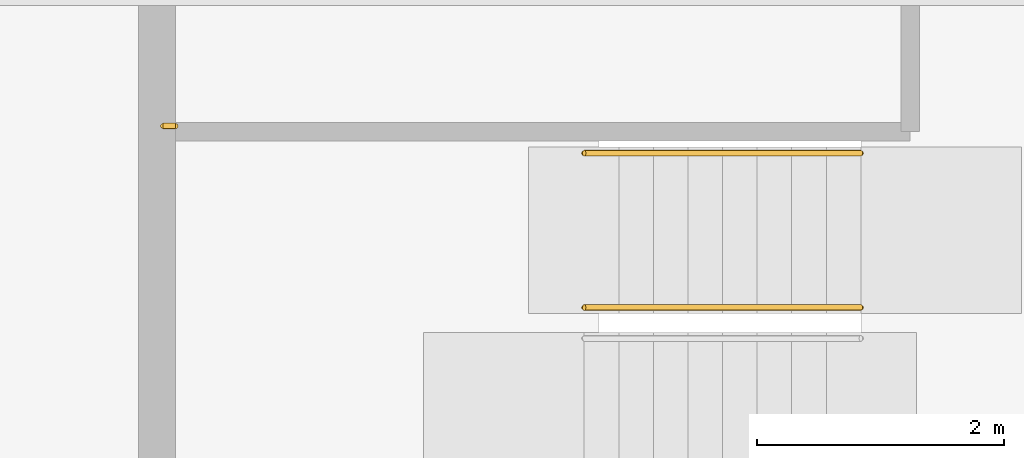
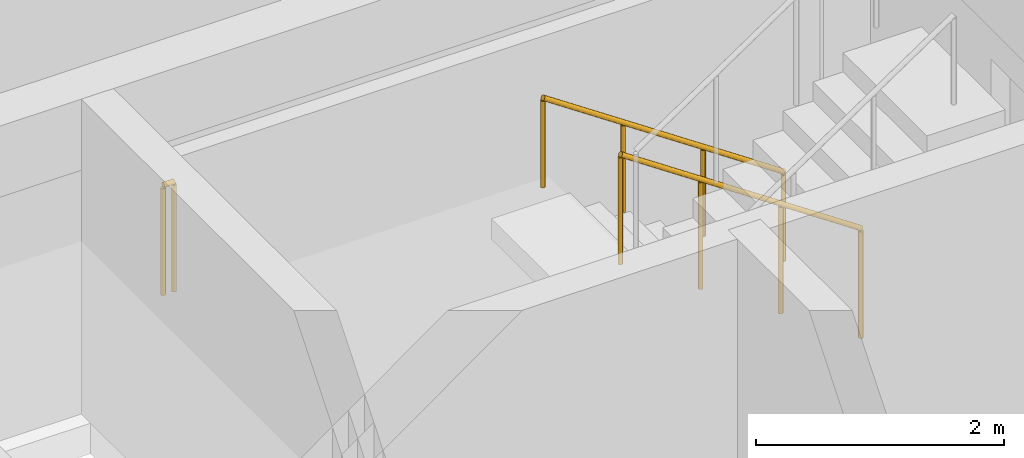
# One storey, part 11 of 12: 3 railings.
"""IFC4 building model written with IfcOpenShell, lengths in metres."""

from ifc_helpers import new_model, si_unit, direction, frame, origin, origin_2d, place, context, subcontext, project, spatial, circle, extrude, material, type_object, element, save


model = new_model("IFC4")

# Units and contexts
model_context = context("Model", 3, precision=1e-05, world=origin(), true_north=direction((0.0, 1.0)))
body_context = subcontext(model_context, "Body", "Model", "MODEL_VIEW")
ifc_project = project(units=[si_unit("LENGTHUNIT", "METRE"), si_unit("AREAUNIT", "SQUARE_METRE"), si_unit("VOLUMEUNIT", "CUBIC_METRE"), si_unit("PLANEANGLEUNIT", "RADIAN"), si_unit("MASSUNIT", "GRAM", prefix="KILO")], contexts=[model_context])

# Site, building, storey
site_placement = place(None, origin())
site = spatial("IfcSite", under=ifc_project, at=site_placement, CompositionType="ELEMENT")
building_placement = place(site_placement, origin())
building = spatial("IfcBuilding", under=site, at=building_placement, Name="Windrow Commons", CompositionType="ELEMENT")
storey_placement = place(building_placement, frame((0.0, 0.0, 247.2)))
storey = spatial("IfcBuildingStorey", under=building, at=storey_placement, Name="L67", CompositionType="ELEMENT", Elevation=247.2)

# Railings
ifc_material_1 = material(Name="Steel S355", Category="steel")
railing_type_1 = type_object("IfcRailingType", Name="Core stair guard 1100", PredefinedType="GUARDRAIL", material=ifc_material_1)
railing_1_placement = place(storey_placement, frame((70.5, 62.355, 0.1889)))
element("IfcRailing", 1, at=railing_1_placement, inside=storey, type_object=railing_type_1, Name="L67 ST-A2 stair guard 1", PredefinedType="GUARDRAIL", context=body_context, shape_type="SweptSolid", body=[
    extrude(circle(Radius=0.024, at=origin_2d()), frame((0.0, 0.0, 1.076), z_axis=(-0.8290030985, 0.0, 0.5592440099), x_axis=(0.0, -1.0, 0.0)), (0.0, 0.0, 1.0), 2.702),
    extrude(circle(Radius=0.021, at=origin_2d()), origin(), (0.0, 0.0, 1.0), 1.052),
    extrude(circle(Radius=0.021, at=origin_2d()), frame((-0.7467, 0.0, 0.5037)), (0.0, 0.0, 1.0), 1.052),
    extrude(circle(Radius=0.021, at=origin_2d()), frame((-1.4933, 0.0, 1.0074)), (0.0, 0.0, 1.0), 1.052),
    extrude(circle(Radius=0.021, at=origin_2d()), frame((-2.24, 0.0, 1.5111)), (0.0, 0.0, 1.0), 1.052),
])
railing_2_placement = place(storey_placement, frame((64.95, 63.825, 1.7)))
element("IfcRailing", 2, at=railing_2_placement, inside=storey, type_object=railing_type_1, Name="L67 ST-A2 stair guard 3", PredefinedType="GUARDRAIL", context=body_context, shape_type="SweptSolid", body=[
    extrude(circle(Radius=0.024, at=origin_2d()), frame((0.0, 0.0, 1.076), z_axis=(-1.0, 0.0, 0.0), x_axis=(0.0, -1.0, 0.0)), (0.0, 0.0, 1.0), 0.1),
    extrude(circle(Radius=0.021, at=origin_2d()), origin(), (0.0, 0.0, 1.0), 1.052),
    extrude(circle(Radius=0.021, at=origin_2d()), frame((-0.1, 0.0, 0.0)), (0.0, 0.0, 1.0), 1.052),
])
ifc_material_2 = material(Name="Steel S355", Category="steel")
railing_type_2 = type_object("IfcRailingType", Name="Core stair handrail 900", PredefinedType="HANDRAIL", material=ifc_material_2)
railing_3_placement = place(storey_placement, frame((70.5, 63.605, 0.1889)))
element("IfcRailing", 3, at=railing_3_placement, inside=storey, type_object=railing_type_2, Name="L67 ST-A2 stair handrail 1", PredefinedType="HANDRAIL", context=body_context, shape_type="SweptSolid", body=[
    extrude(circle(Radius=0.024, at=origin_2d()), frame((0.0, 0.0, 0.876), z_axis=(-0.8290030985, 0.0, 0.5592440099), x_axis=(0.0, -1.0, 0.0)), (0.0, 0.0, 1.0), 2.702),
    extrude(circle(Radius=0.021, at=origin_2d()), origin(), (0.0, 0.0, 1.0), 0.852),
    extrude(circle(Radius=0.021, at=origin_2d()), frame((-0.7467, 0.0, 0.5037)), (0.0, 0.0, 1.0), 0.852),
    extrude(circle(Radius=0.021, at=origin_2d()), frame((-1.4933, 0.0, 1.0074)), (0.0, 0.0, 1.0), 0.852),
    extrude(circle(Radius=0.021, at=origin_2d()), frame((-2.24, 0.0, 1.5111)), (0.0, 0.0, 1.0), 0.852),
])

save(model, "model.ifc")
